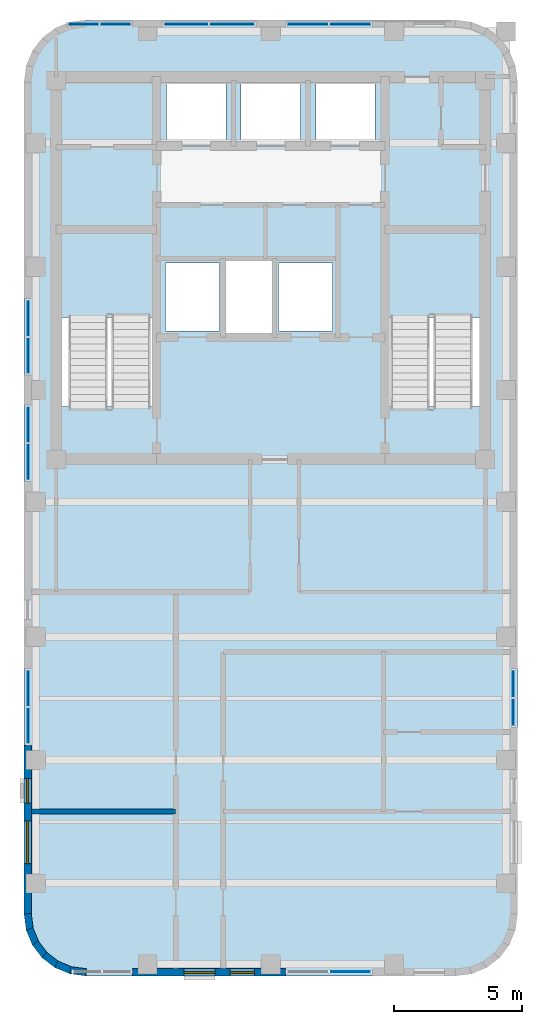
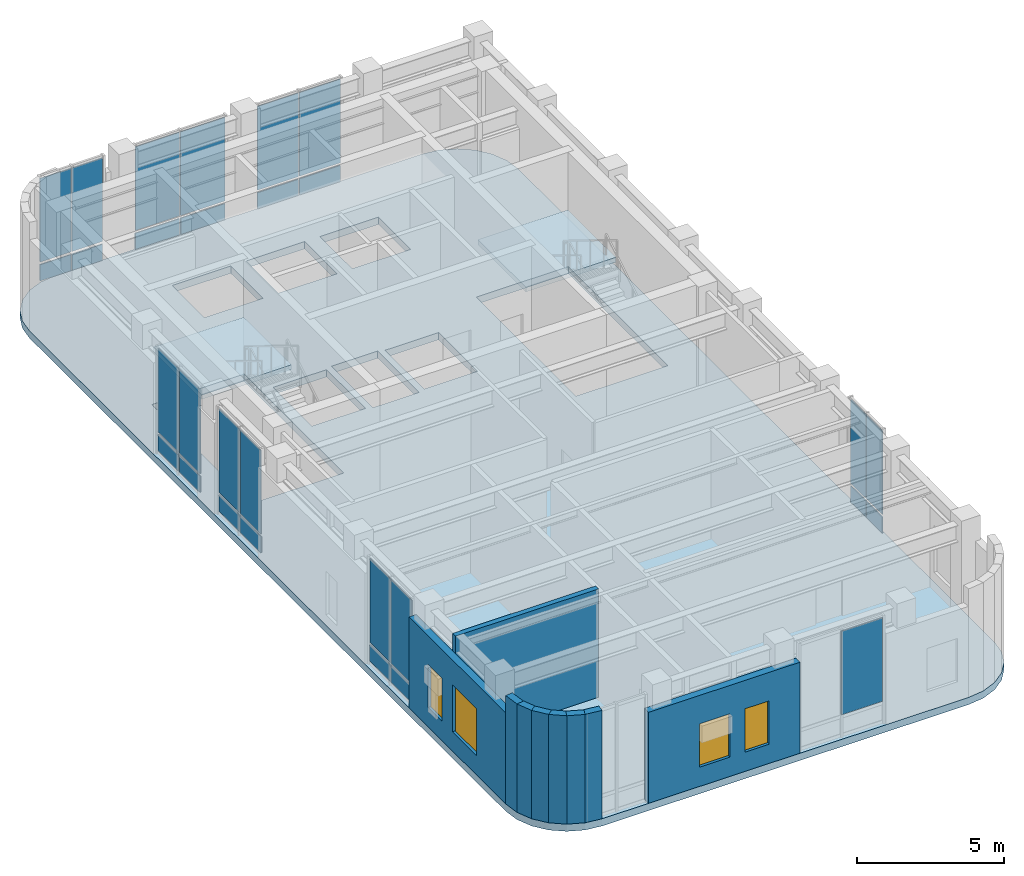
# One storey, part 3 of 8: 29 plates, 9 walls, 4 windows, 3 slabs, 4 openings, 10 elements without a shape of their own.
"""IFC4 building model written with IfcOpenShell, lengths in metres."""

from ifc_helpers import new_model, si_unit, direction, frame, frame_2d, origin, origin_2d, place, context, subcontext, project, spatial, polyline, rectangle, outline, extrude, material, layer, layer_set, type_object, element, fill, aggregate, save


model = new_model("IFC4")

# Units and contexts
model_context = context("Model", 3, precision=1e-05, world=origin(), true_north=direction((0.0, 1.0)))
body_context = subcontext(model_context, "Body", "Model", "MODEL_VIEW")
ifc_project = project(units=[si_unit("LENGTHUNIT", "METRE"), si_unit("AREAUNIT", "SQUARE_METRE"), si_unit("VOLUMEUNIT", "CUBIC_METRE"), si_unit("PLANEANGLEUNIT", "RADIAN"), si_unit("MASSUNIT", "GRAM", prefix="KILO")], contexts=[model_context])

# Site, building, storey
site_placement = place(None, origin())
site = spatial("IfcSite", under=ifc_project, at=site_placement, CompositionType="ELEMENT")
building_placement = place(site_placement, origin())
building = spatial("IfcBuilding", under=site, at=building_placement, Name="Orvandelia Arch Residences", CompositionType="ELEMENT")
storey_placement = place(building_placement, frame((0.0, 0.0, 291.39990234375)))
storey = spatial("IfcBuildingStorey", under=building, at=storey_placement, Name="L75", CompositionType="ELEMENT", Elevation=291.39990234375)

# Curtain wall, plates
ifc_material_1 = material(Name="Anodised Bronze Curtain Wall Assembly")
curtain_wall_type = type_object("IfcCurtainWallType", Name="CW-SYS6-OBSERV", PredefinedType="NOTDEFINED", material=ifc_material_1)
curtain_wall_1_placement = place(storey_placement, origin())
curtain_wall_1 = element("IfcCurtainWall", 1, at=curtain_wall_1_placement, inside=storey, type_object=curtain_wall_type, Name="Observatory West Curtain Wall 3", PredefinedType="NOTDEFINED")
ifc_material_2 = material(Name="Insulated Bronze Aluminium Spandrel Panel", Category="aluminium")
ifc_layer_1 = layer(ifc_material_2, 0.0400390625, Name="Insulated Bronze Aluminium Spandrel Panel", Category="aluminium")
ifc_layer_set_1 = layer_set([ifc_layer_1], Name="Insulated Bronze Aluminium Spandrel Panel")
plate_type_1 = type_object("IfcPlateType", Name="CW-PANEL-SPANDREL", PredefinedType="SHEET", material=ifc_layer_set_1)
plate_1_placement = place(storey_placement, frame((4.9599609375, 20.541259765625, 0.125244140625), z_axis=(0.0, 0.0, 1.0), x_axis=(0.0, 1.0, 0.0)))
plate_1 = element("IfcPlate", 2, at=plate_1_placement, type_object=plate_type_1, Name="Curtain Wall Spandrel Panel CW-L75-3-PS1", PredefinedType="SHEET", context=body_context, shape_type="SweptSolid", body=[
    extrude(rectangle(XDim=1.402587890625, YDim=0.0400390625, at=origin_2d()), origin(), (0.0, 0.0, 1.0), 0.669921875),
])
plate_2_placement = place(storey_placement, frame((4.9599609375, 21.993896484375, 0.125244140625), z_axis=(0.0, 0.0, 1.0), x_axis=(0.0, 1.0, 0.0)))
plate_2 = element("IfcPlate", 3, at=plate_2_placement, type_object=plate_type_1, Name="Curtain Wall Spandrel Panel CW-L75-3-PS2", PredefinedType="SHEET", context=body_context, shape_type="SweptSolid", body=[
    extrude(rectangle(XDim=1.402587890625, YDim=0.0400390625, at=origin_2d()), origin(), (0.0, 0.0, 1.0), 0.669921875),
])

curtain_wall_2_placement = place(storey_placement, origin())
curtain_wall_2 = element("IfcCurtainWall", 4, at=curtain_wall_2_placement, inside=storey, type_object=curtain_wall_type, Name="Observatory East Curtain Wall 4", PredefinedType="NOTDEFINED")
plate_3_placement = place(storey_placement, frame((23.840087890625, 21.0625, 0.125244140625), z_axis=(0.0, 0.0, 1.0), x_axis=(0.0, 1.0, 0.0)))
plate_3 = element("IfcPlate", 5, at=plate_3_placement, type_object=plate_type_1, Name="Curtain Wall Spandrel Panel CW-L75-4-PS1", PredefinedType="SHEET", context=body_context, shape_type="SweptSolid", body=[
    extrude(rectangle(XDim=1.054931640625, YDim=0.0400390625, at=origin_2d()), origin(), (0.0, 0.0, 1.0), 0.669921875),
])
plate_4_placement = place(storey_placement, frame((23.840087890625, 22.16748046875, 0.125244140625), z_axis=(0.0, 0.0, 1.0), x_axis=(0.0, 1.0, 0.0)))
plate_4 = element("IfcPlate", 6, at=plate_4_placement, type_object=plate_type_1, Name="Curtain Wall Spandrel Panel CW-L75-4-PS2", PredefinedType="SHEET", context=body_context, shape_type="SweptSolid", body=[
    extrude(rectangle(XDim=1.054931640625, YDim=0.0400390625, at=origin_2d()), origin(), (0.0, 0.0, 1.0), 0.669921875),
])

curtain_wall_3_placement = place(storey_placement, origin())
curtain_wall_3 = element("IfcCurtainWall", 7, at=curtain_wall_3_placement, inside=storey, type_object=curtain_wall_type, Name="Observatory North Curtain Wall 5", PredefinedType="NOTDEFINED")
plate_5_placement = place(storey_placement, frame((7.106201171875, 47.840087890625, 0.125244140625), z_axis=(0.0, 0.0, 1.0), x_axis=(1.0, 0.0, 0.0)))
plate_5 = element("IfcPlate", 8, at=plate_5_placement, type_object=plate_type_1, Name="Curtain Wall Spandrel Panel CW-L75-5-PS1", PredefinedType="SHEET", context=body_context, shape_type="SweptSolid", body=[
    extrude(rectangle(XDim=1.202392578125, YDim=0.0400390625, at=origin_2d()), origin(), (0.0, 0.0, 1.0), 0.669921875),
])
plate_6_placement = place(storey_placement, frame((8.35888671875, 47.840087890625, 0.125244140625), z_axis=(0.0, 0.0, 1.0), x_axis=(1.0, 0.0, 0.0)))
plate_6 = element("IfcPlate", 9, at=plate_6_placement, type_object=plate_type_1, Name="Curtain Wall Spandrel Panel CW-L75-5-PS2", PredefinedType="SHEET", context=body_context, shape_type="SweptSolid", body=[
    extrude(rectangle(XDim=1.202392578125, YDim=0.0400390625, at=origin_2d()), origin(), (0.0, 0.0, 1.0), 0.669921875),
])

curtain_wall_4_placement = place(storey_placement, origin())
curtain_wall_4 = element("IfcCurtainWall", 10, at=curtain_wall_4_placement, inside=storey, type_object=curtain_wall_type, Name="Observatory North Curtain Wall 6", PredefinedType="NOTDEFINED")
plate_7_placement = place(storey_placement, frame((11.107421875, 47.840087890625, 0.125244140625), z_axis=(0.0, 0.0, 1.0), x_axis=(1.0, 0.0, 0.0)))
plate_7 = element("IfcPlate", 11, at=plate_7_placement, type_object=plate_type_1, Name="Curtain Wall Spandrel Panel CW-L75-6-PS1", PredefinedType="SHEET", context=body_context, shape_type="SweptSolid", body=[
    extrude(rectangle(XDim=1.735107421875, YDim=0.0400390625, at=origin_2d()), origin(), (0.0, 0.0, 1.0), 0.669921875),
])
plate_8_placement = place(storey_placement, frame((12.892578125, 47.840087890625, 0.125244140625), z_axis=(0.0, 0.0, 1.0), x_axis=(1.0, 0.0, 0.0)))
plate_8 = element("IfcPlate", 12, at=plate_8_placement, type_object=plate_type_1, Name="Curtain Wall Spandrel Panel CW-L75-6-PS2", PredefinedType="SHEET", context=body_context, shape_type="SweptSolid", body=[
    extrude(rectangle(XDim=1.735107421875, YDim=0.0400390625, at=origin_2d()), origin(), (0.0, 0.0, 1.0), 0.669921875),
])

curtain_wall_5_placement = place(storey_placement, origin())
curtain_wall_5 = element("IfcCurtainWall", 13, at=curtain_wall_5_placement, inside=storey, type_object=curtain_wall_type, Name="Observatory North Curtain Wall 7", PredefinedType="NOTDEFINED")
plate_9_placement = place(storey_placement, frame((15.84130859375, 47.840087890625, 0.125244140625), z_axis=(0.0, 0.0, 1.0), x_axis=(1.0, 0.0, 0.0)))
plate_9 = element("IfcPlate", 14, at=plate_9_placement, type_object=plate_type_1, Name="Curtain Wall Spandrel Panel CW-L75-7-PS1", PredefinedType="SHEET", context=body_context, shape_type="SweptSolid", body=[
    extrude(rectangle(XDim=1.6025390625, YDim=0.0400390625, at=origin_2d()), origin(), (0.0, 0.0, 1.0), 0.669921875),
])
plate_10_placement = place(storey_placement, frame((17.49365234375, 47.840087890625, 0.125244140625), z_axis=(0.0, 0.0, 1.0), x_axis=(1.0, 0.0, 0.0)))
plate_10 = element("IfcPlate", 15, at=plate_10_placement, type_object=plate_type_1, Name="Curtain Wall Spandrel Panel CW-L75-7-PS2", PredefinedType="SHEET", context=body_context, shape_type="SweptSolid", body=[
    extrude(rectangle(XDim=1.6025390625, YDim=0.0400390625, at=origin_2d()), origin(), (0.0, 0.0, 1.0), 0.669921875),
])

curtain_wall_6_placement = place(storey_placement, origin())
curtain_wall_6 = element("IfcCurtainWall", 16, at=curtain_wall_6_placement, inside=storey, type_object=curtain_wall_type, Name="Observatory Upper West Curtain Wall 8", PredefinedType="NOTDEFINED")
plate_11_placement = place(storey_placement, frame((4.9599609375, 30.80615234375, 0.125244140625), z_axis=(0.0, 0.0, 1.0), x_axis=(0.0, 1.0, 0.0)))
plate_11 = element("IfcPlate", 17, at=plate_11_placement, type_object=plate_type_1, Name="Curtain Wall Spandrel Panel CW-L75-8-PS1", PredefinedType="SHEET", context=body_context, shape_type="SweptSolid", body=[
    extrude(rectangle(XDim=1.402587890625, YDim=0.0400390625, at=origin_2d()), origin(), (0.0, 0.0, 1.0), 0.669921875),
])
plate_12_placement = place(storey_placement, frame((4.9599609375, 32.2587890625, 0.125244140625), z_axis=(0.0, 0.0, 1.0), x_axis=(0.0, 1.0, 0.0)))
plate_12 = element("IfcPlate", 18, at=plate_12_placement, type_object=plate_type_1, Name="Curtain Wall Spandrel Panel CW-L75-8-PS2", PredefinedType="SHEET", context=body_context, shape_type="SweptSolid", body=[
    extrude(rectangle(XDim=1.402587890625, YDim=0.0400390625, at=origin_2d()), origin(), (0.0, 0.0, 1.0), 0.669921875),
])

curtain_wall_7_placement = place(storey_placement, origin())
curtain_wall_7 = element("IfcCurtainWall", 19, at=curtain_wall_7_placement, inside=storey, type_object=curtain_wall_type, Name="Observatory Upper West Curtain Wall 9", PredefinedType="NOTDEFINED")
plate_13_placement = place(storey_placement, frame((4.9599609375, 34.941162109375, 0.125244140625), z_axis=(0.0, 0.0, 1.0), x_axis=(0.0, 1.0, 0.0)))
plate_13 = element("IfcPlate", 20, at=plate_13_placement, type_object=plate_type_1, Name="Curtain Wall Spandrel Panel CW-L75-9-PS1", PredefinedType="SHEET", context=body_context, shape_type="SweptSolid", body=[
    extrude(rectangle(XDim=1.402587890625, YDim=0.0400390625, at=origin_2d()), origin(), (0.0, 0.0, 1.0), 0.669921875),
])
plate_14_placement = place(storey_placement, frame((4.9599609375, 36.393798828125, 0.125244140625), z_axis=(0.0, 0.0, 1.0), x_axis=(0.0, 1.0, 0.0)))
plate_14 = element("IfcPlate", 21, at=plate_14_placement, type_object=plate_type_1, Name="Curtain Wall Spandrel Panel CW-L75-9-PS2", PredefinedType="SHEET", context=body_context, shape_type="SweptSolid", body=[
    extrude(rectangle(XDim=1.402587890625, YDim=0.0400390625, at=origin_2d()), origin(), (0.0, 0.0, 1.0), 0.669921875),
])

# Curtain wall, plate
curtain_wall_8_placement = place(storey_placement, origin())
curtain_wall_8 = element("IfcCurtainWall", 22, at=curtain_wall_8_placement, inside=storey, type_object=curtain_wall_type, Name="Observatory South Curtain Wall 2", PredefinedType="NOTDEFINED")
ifc_material_3 = material(Name="Low-E Laminated Double Glazing", Category="glass")
ifc_layer_2 = layer(ifc_material_3, 0.031982421875, Name="Low-E Laminated Double Glazing", Category="glass")
ifc_layer_set_2 = layer_set([ifc_layer_2], Name="Low-E Laminated Double Glazing")
plate_type_2 = type_object("IfcPlateType", Name="CW-PANEL-VISION", PredefinedType="CURTAIN_PANEL", material=ifc_layer_set_2)
plate_15_placement = place(storey_placement, frame((17.49365234375, 10.9599609375, 0.9052734375), z_axis=(0.0, 0.0, 1.0), x_axis=(1.0, 0.0, 0.0)))
plate_15 = element("IfcPlate", 23, at=plate_15_placement, type_object=plate_type_2, Name="Curtain Wall Vision Glass Panel CW-L75-2-PV2", PredefinedType="CURTAIN_PANEL", context=body_context, shape_type="SweptSolid", body=[
    extrude(rectangle(XDim=1.6025390625, YDim=0.031982421875, at=origin_2d()), origin(), (0.0, 0.0, 1.0), 3.469970703125),
])
aggregate(curtain_wall_8, [plate_15])

# Plate
plate_16_placement = place(storey_placement, frame((4.9599609375, 20.541259765625, 0.9052734375), z_axis=(0.0, 0.0, 1.0), x_axis=(0.0, 1.0, 0.0)))
plate_16 = element("IfcPlate", 24, at=plate_16_placement, type_object=plate_type_2, Name="Curtain Wall Vision Glass Panel CW-L75-3-PV1", PredefinedType="CURTAIN_PANEL", context=body_context, shape_type="SweptSolid", body=[
    extrude(rectangle(XDim=1.402587890625, YDim=0.031982421875, at=origin_2d()), origin(), (0.0, 0.0, 1.0), 3.469970703125),
])

plate_17_placement = place(storey_placement, frame((4.9599609375, 21.993896484375, 0.9052734375), z_axis=(0.0, 0.0, 1.0), x_axis=(0.0, 1.0, 0.0)))
plate_17 = element("IfcPlate", 25, at=plate_17_placement, type_object=plate_type_2, Name="Curtain Wall Vision Glass Panel CW-L75-3-PV2", PredefinedType="CURTAIN_PANEL", context=body_context, shape_type="SweptSolid", body=[
    extrude(rectangle(XDim=1.402587890625, YDim=0.031982421875, at=origin_2d()), origin(), (0.0, 0.0, 1.0), 3.469970703125),
])

aggregate(curtain_wall_1, [plate_1, plate_16, plate_2, plate_17])

plate_18_placement = place(storey_placement, frame((23.840087890625, 21.0625, 0.9052734375), z_axis=(0.0, 0.0, 1.0), x_axis=(0.0, 1.0, 0.0)))
plate_18 = element("IfcPlate", 26, at=plate_18_placement, type_object=plate_type_2, Name="Curtain Wall Vision Glass Panel CW-L75-4-PV1", PredefinedType="CURTAIN_PANEL", context=body_context, shape_type="SweptSolid", body=[
    extrude(rectangle(XDim=1.054931640625, YDim=0.031982421875, at=origin_2d()), origin(), (0.0, 0.0, 1.0), 3.469970703125),
])

plate_19_placement = place(storey_placement, frame((23.840087890625, 22.16748046875, 0.9052734375), z_axis=(0.0, 0.0, 1.0), x_axis=(0.0, 1.0, 0.0)))
plate_19 = element("IfcPlate", 27, at=plate_19_placement, type_object=plate_type_2, Name="Curtain Wall Vision Glass Panel CW-L75-4-PV2", PredefinedType="CURTAIN_PANEL", context=body_context, shape_type="SweptSolid", body=[
    extrude(rectangle(XDim=1.054931640625, YDim=0.031982421875, at=origin_2d()), origin(), (0.0, 0.0, 1.0), 3.469970703125),
])

aggregate(curtain_wall_2, [plate_3, plate_18, plate_4, plate_19])

plate_20_placement = place(storey_placement, frame((7.106201171875, 47.840087890625, 0.9052734375), z_axis=(0.0, 0.0, 1.0), x_axis=(1.0, 0.0, 0.0)))
plate_20 = element("IfcPlate", 28, at=plate_20_placement, type_object=plate_type_2, Name="Curtain Wall Vision Glass Panel CW-L75-5-PV1", PredefinedType="CURTAIN_PANEL", context=body_context, shape_type="SweptSolid", body=[
    extrude(rectangle(XDim=1.202392578125, YDim=0.031982421875, at=origin_2d()), origin(), (0.0, 0.0, 1.0), 3.469970703125),
])

plate_21_placement = place(storey_placement, frame((8.35888671875, 47.840087890625, 0.9052734375), z_axis=(0.0, 0.0, 1.0), x_axis=(1.0, 0.0, 0.0)))
plate_21 = element("IfcPlate", 29, at=plate_21_placement, type_object=plate_type_2, Name="Curtain Wall Vision Glass Panel CW-L75-5-PV2", PredefinedType="CURTAIN_PANEL", context=body_context, shape_type="SweptSolid", body=[
    extrude(rectangle(XDim=1.202392578125, YDim=0.031982421875, at=origin_2d()), origin(), (0.0, 0.0, 1.0), 3.469970703125),
])

aggregate(curtain_wall_3, [plate_5, plate_20, plate_6, plate_21])

plate_22_placement = place(storey_placement, frame((11.107421875, 47.840087890625, 0.9052734375), z_axis=(0.0, 0.0, 1.0), x_axis=(1.0, 0.0, 0.0)))
plate_22 = element("IfcPlate", 30, at=plate_22_placement, type_object=plate_type_2, Name="Curtain Wall Vision Glass Panel CW-L75-6-PV1", PredefinedType="CURTAIN_PANEL", context=body_context, shape_type="SweptSolid", body=[
    extrude(rectangle(XDim=1.735107421875, YDim=0.031982421875, at=origin_2d()), origin(), (0.0, 0.0, 1.0), 3.469970703125),
])

plate_23_placement = place(storey_placement, frame((12.892578125, 47.840087890625, 0.9052734375), z_axis=(0.0, 0.0, 1.0), x_axis=(1.0, 0.0, 0.0)))
plate_23 = element("IfcPlate", 31, at=plate_23_placement, type_object=plate_type_2, Name="Curtain Wall Vision Glass Panel CW-L75-6-PV2", PredefinedType="CURTAIN_PANEL", context=body_context, shape_type="SweptSolid", body=[
    extrude(rectangle(XDim=1.735107421875, YDim=0.031982421875, at=origin_2d()), origin(), (0.0, 0.0, 1.0), 3.469970703125),
])

aggregate(curtain_wall_4, [plate_7, plate_22, plate_8, plate_23])

plate_24_placement = place(storey_placement, frame((15.84130859375, 47.840087890625, 0.9052734375), z_axis=(0.0, 0.0, 1.0), x_axis=(1.0, 0.0, 0.0)))
plate_24 = element("IfcPlate", 32, at=plate_24_placement, type_object=plate_type_2, Name="Curtain Wall Vision Glass Panel CW-L75-7-PV1", PredefinedType="CURTAIN_PANEL", context=body_context, shape_type="SweptSolid", body=[
    extrude(rectangle(XDim=1.6025390625, YDim=0.031982421875, at=origin_2d()), origin(), (0.0, 0.0, 1.0), 3.469970703125),
])

plate_25_placement = place(storey_placement, frame((17.49365234375, 47.840087890625, 0.9052734375), z_axis=(0.0, 0.0, 1.0), x_axis=(1.0, 0.0, 0.0)))
plate_25 = element("IfcPlate", 33, at=plate_25_placement, type_object=plate_type_2, Name="Curtain Wall Vision Glass Panel CW-L75-7-PV2", PredefinedType="CURTAIN_PANEL", context=body_context, shape_type="SweptSolid", body=[
    extrude(rectangle(XDim=1.6025390625, YDim=0.031982421875, at=origin_2d()), origin(), (0.0, 0.0, 1.0), 3.469970703125),
])

aggregate(curtain_wall_5, [plate_9, plate_24, plate_10, plate_25])

plate_26_placement = place(storey_placement, frame((4.9599609375, 30.80615234375, 0.9052734375), z_axis=(0.0, 0.0, 1.0), x_axis=(0.0, 1.0, 0.0)))
plate_26 = element("IfcPlate", 34, at=plate_26_placement, type_object=plate_type_2, Name="Curtain Wall Vision Glass Panel CW-L75-8-PV1", PredefinedType="CURTAIN_PANEL", context=body_context, shape_type="SweptSolid", body=[
    extrude(rectangle(XDim=1.402587890625, YDim=0.031982421875, at=origin_2d()), origin(), (0.0, 0.0, 1.0), 3.469970703125),
])

plate_27_placement = place(storey_placement, frame((4.9599609375, 32.2587890625, 0.9052734375), z_axis=(0.0, 0.0, 1.0), x_axis=(0.0, 1.0, 0.0)))
plate_27 = element("IfcPlate", 35, at=plate_27_placement, type_object=plate_type_2, Name="Curtain Wall Vision Glass Panel CW-L75-8-PV2", PredefinedType="CURTAIN_PANEL", context=body_context, shape_type="SweptSolid", body=[
    extrude(rectangle(XDim=1.402587890625, YDim=0.031982421875, at=origin_2d()), origin(), (0.0, 0.0, 1.0), 3.469970703125),
])

aggregate(curtain_wall_6, [plate_11, plate_26, plate_12, plate_27])

plate_28_placement = place(storey_placement, frame((4.9599609375, 34.941162109375, 0.9052734375), z_axis=(0.0, 0.0, 1.0), x_axis=(0.0, 1.0, 0.0)))
plate_28 = element("IfcPlate", 36, at=plate_28_placement, type_object=plate_type_2, Name="Curtain Wall Vision Glass Panel CW-L75-9-PV1", PredefinedType="CURTAIN_PANEL", context=body_context, shape_type="SweptSolid", body=[
    extrude(rectangle(XDim=1.402587890625, YDim=0.031982421875, at=origin_2d()), origin(), (0.0, 0.0, 1.0), 3.469970703125),
])

plate_29_placement = place(storey_placement, frame((4.9599609375, 36.393798828125, 0.9052734375), z_axis=(0.0, 0.0, 1.0), x_axis=(0.0, 1.0, 0.0)))
plate_29 = element("IfcPlate", 37, at=plate_29_placement, type_object=plate_type_2, Name="Curtain Wall Vision Glass Panel CW-L75-9-PV2", PredefinedType="CURTAIN_PANEL", context=body_context, shape_type="SweptSolid", body=[
    extrude(rectangle(XDim=1.402587890625, YDim=0.031982421875, at=origin_2d()), origin(), (0.0, 0.0, 1.0), 3.469970703125),
])

aggregate(curtain_wall_7, [plate_13, plate_28, plate_14, plate_29])

# Stair, slab
ifc_material_4 = material(Name="Concrete C40/50", Category="concrete")
stair_type = type_object("IfcStairType", Name="STAIR-RC-DOGLEG", PredefinedType="HALF_TURN_STAIR", material=ifc_material_4)
stair_1_placement = place(storey_placement, origin())
stair_1 = element("IfcStair", 38, at=stair_1_placement, inside=storey, type_object=stair_type, Name="L75 Protected Exit Stair ST-1", PredefinedType="HALF_TURN_STAIR")
ifc_layer_3 = layer(ifc_material_4, 0.219970703125, Name="Concrete C40/50", Category="concrete")
ifc_layer_set_3 = layer_set([ifc_layer_3], Name="Concrete C40/50")
slab_type_1 = type_object("IfcSlabType", Name="SLB-LANDING-220", PredefinedType="LANDING", material=ifc_layer_set_3)
slab_1_placement = place(storey_placement, frame((0.0, 0.0, 2.2001953125)))
slab_1 = element("IfcSlab", 39, at=slab_1_placement, type_object=slab_type_1, Name="ST-1 landing 1", PredefinedType="LANDING", context=body_context, shape_type="SweptSolid", body=[
    extrude(outline(polyline([(9.800048828125, 36.429931640625), (9.800048828125, 39.68994140625), (6.260009765625, 39.68994140625), (6.260009765625, 36.429931640625), (9.800048828125, 36.429931640625)])), origin(), (0.0, 0.0, 1.0), 0.199951171875),
])
aggregate(stair_1, [slab_1])

stair_2_placement = place(storey_placement, origin())
stair_2 = element("IfcStair", 40, at=stair_2_placement, inside=storey, type_object=stair_type, Name="L75 Protected Exit Stair ST-2", PredefinedType="HALF_TURN_STAIR")
slab_2_placement = place(storey_placement, frame((0.0, 0.0, 2.2001953125)))
slab_2 = element("IfcSlab", 41, at=slab_2_placement, type_object=slab_type_1, Name="ST-2 landing 1", PredefinedType="LANDING", context=body_context, shape_type="SweptSolid", body=[
    extrude(outline(polyline([(22.5400390625, 36.429931640625), (22.5400390625, 39.68994140625), (19.0, 39.68994140625), (19.0, 36.429931640625), (22.5400390625, 36.429931640625)])), origin(), (0.0, 0.0, 1.0), 0.199951171875),
])
aggregate(stair_2, [slab_2])

# Slab
ifc_material_5 = material(Name="Concrete C50/60", Category="concrete")
ifc_layer_4 = layer(ifc_material_5, 0.300048828125, Name="Concrete C50/60", Category="concrete")
ifc_layer_set_4 = layer_set([ifc_layer_4], Name="Concrete C50/60")
slab_type_2 = type_object("IfcSlabType", Name="SLB-OUT-300", PredefinedType="FLOOR", material=ifc_layer_set_4)
slab_3_placement = place(storey_placement, frame((0.0, 0.0, -0.2998046875)))
element("IfcSlab", 42, at=slab_3_placement, inside=storey, type_object=slab_type_2, Name="Structural Floor Slab L75-1", PredefinedType="FLOOR", context=body_context, shape_type="SweptSolid", body=[
    extrude(outline(polyline([(4.800048828125, 13.199951171875), (4.8818359375, 12.578857421875), (5.12158203125, 12.0), (5.5029296875, 11.5029296875), (6.0, 11.12158203125), (6.578857421875, 10.8818359375), (7.199951171875, 10.800048828125), (21.60009765625, 10.800048828125), (22.22119140625, 10.8818359375), (22.800048828125, 11.12158203125), (23.297119140625, 11.5029296875), (23.678466796875, 12.0), (23.918212890625, 12.578857421875), (24.0, 13.199951171875), (24.0, 45.60009765625), (23.918212890625, 46.22119140625), (23.678466796875, 46.800048828125), (23.297119140625, 47.297119140625), (22.800048828125, 47.678466796875), (22.22119140625, 47.918212890625), (21.60009765625, 48.0), (7.199951171875, 48.0), (6.578857421875, 47.918212890625), (6.0, 47.678466796875), (5.5029296875, 47.297119140625), (5.12158203125, 46.800048828125), (4.8818359375, 46.22119140625), (4.800048828125, 45.60009765625), (4.800048828125, 13.199951171875)]), holes=[polyline([(6.219970703125, 32.949951171875), (9.840087890625, 32.949951171875), (9.840087890625, 39.72998046875), (6.219970703125, 39.72998046875), (6.219970703125, 32.949951171875)]), polyline([(18.9599609375, 32.949951171875), (22.580078125, 32.949951171875), (22.580078125, 39.72998046875), (18.9599609375, 39.72998046875), (18.9599609375, 32.949951171875)]), polyline([(12.639892578125, 35.81005859375), (14.4599609375, 35.81005859375), (14.4599609375, 38.639892578125), (12.639892578125, 38.639892578125), (12.639892578125, 35.81005859375)]), polyline([(10.300048828125, 35.89990234375), (12.39990234375, 35.89990234375), (12.39990234375, 38.550048828125), (10.300048828125, 38.550048828125), (10.300048828125, 35.89990234375)]), polyline([(14.699951171875, 35.89990234375), (16.800048828125, 35.89990234375), (16.800048828125, 38.550048828125), (14.699951171875, 38.550048828125), (14.699951171875, 35.89990234375)]), polyline([(10.35009765625, 43.300048828125), (12.64990234375, 43.300048828125), (12.64990234375, 45.5), (10.35009765625, 45.5), (10.35009765625, 43.300048828125)]), polyline([(13.25, 43.300048828125), (15.550048828125, 43.300048828125), (15.550048828125, 45.5), (13.25, 45.5), (13.25, 43.300048828125)]), polyline([(16.14990234375, 43.300048828125), (18.449951171875, 43.300048828125), (18.449951171875, 45.5), (16.14990234375, 45.5), (16.14990234375, 43.300048828125)])]), origin(), (0.0, 0.0, 1.0), 0.2998046875),
])

# Wall
ifc_layer_5 = layer(ifc_material_4, 0.199951171875, Name="Concrete C40/50", Category="concrete")
ifc_layer_set_5 = layer_set([ifc_layer_5], Name="Concrete C40/50")
wall_type_1 = type_object("IfcWallType", Name="WL-DEM-200", PredefinedType="SOLIDWALL", material=ifc_layer_set_5)
wall_1_placement = place(storey_placement, frame((5.080078125, 17.199951171875, 0.0), z_axis=(0.0, 0.0, 1.0), x_axis=(1.0, 0.0, 0.0)))
element("IfcWall", 43, at=wall_1_placement, inside=storey, type_object=wall_type_1, Name="Interior Partition Wall WL-L75-SKD1", PredefinedType="SOLIDWALL", context=body_context, shape_type="SweptSolid", body=[
    extrude(rectangle(XDim=5.619873046875, YDim=0.199951171875, at=frame_2d((2.81005859375, 0.0))), origin(), (0.0, 0.0, 1.0), 4.5),
])

# Wall, openings, windows
ifc_material_6 = material(Name="Precast concrete C40/50", Category="concrete")
ifc_layer_6 = layer(ifc_material_6, 0.280029296875, Name="Precast concrete C40/50", Category="concrete")
ifc_layer_set_6 = layer_set([ifc_layer_6], Name="Precast concrete C40/50")
wall_type_2 = type_object("IfcWallType", Name="WL-EXT-STONE-280", PredefinedType="STANDARD", material=ifc_layer_set_6)
wall_2_placement = place(storey_placement, frame((14.97509765625, 10.93994140625, 0.0), z_axis=(0.0, 0.0, 1.0), x_axis=(-1.0, 0.0, 0.0)))
wall_2 = element("IfcWall", 44, at=wall_2_placement, inside=storey, type_object=wall_type_2, Name="Coral-Limestone Precast Facade Wall L75-025", PredefinedType="STANDARD", context=body_context, shape_type="SweptSolid", body=[
    extrude(rectangle(XDim=5.9501953125, YDim=0.280029296875, at=frame_2d((2.97509765625, 0.0))), origin(), (0.0, 0.0, 1.0), 3.780029296875),
])
opening_1_placement = place(wall_2_placement, frame((2.75, 0.0, 0.800048828125)))
opening_1 = element("IfcOpeningElement", 45, at=opening_1_placement, cuts=wall_2, Name="Opening W3", PredefinedType="OPENING", context=body_context, shape_type="SweptSolid", body=[
    extrude(rectangle(XDim=1.199951171875, YDim=1.800048828125, at=frame_2d((0.60009765625, 0.89990234375))), frame((0.0, 0.14990234375, 0.0), z_axis=(0.0, -1.0, 0.0), x_axis=(1.0, 0.0, 0.0)), (0.0, 0.0, 1.0), 0.300048828125),
])
opening_2_placement = place(wall_2_placement, frame((1.21240234375, 0.0, 0.800048828125)))
opening_2 = element("IfcOpeningElement", 46, at=opening_2_placement, cuts=wall_2, Name="Opening W4", PredefinedType="OPENING", context=body_context, shape_type="SweptSolid", body=[
    extrude(rectangle(XDim=0.949951171875, YDim=1.800048828125, at=frame_2d((0.47509765625, 0.89990234375))), frame((0.0, 0.14990234375, 0.0), z_axis=(0.0, -1.0, 0.0), x_axis=(1.0, 0.0, 0.0)), (0.0, 0.0, 1.0), 0.300048828125),
])
ifc_material_7 = material(Name="Tempered Low-E Insulated Glazing", Category="glass")
window_type_1 = type_object("IfcWindowType", Name="WIN-RES-0950x1800", PartitioningType="SINGLE_PANEL", PredefinedType="WINDOW", material=ifc_material_7)
window_1_placement = place(opening_2_placement, origin())
window_1 = element("IfcWindow", 47, at=window_1_placement, inside=storey, type_object=window_type_1, Name="Recessed Punched Window L75-007", OverallHeight=1.800048828125, OverallWidth=0.949951171875, PartitioningType="SINGLE_PANEL", PredefinedType="WINDOW", context=body_context, shape_type="SweptSolid", body=[
    extrude(rectangle(XDim=0.949951171875, YDim=1.800048828125, at=frame_2d((0.47509765625, 0.89990234375))), frame((0.0, 0.030029296875, 0.0), z_axis=(0.0, -1.0, 0.0), x_axis=(1.0, 0.0, 0.0)), (0.0, 0.0, 1.0), 0.06005859375),
])
fill(opening_2, window_1)
window_type_2 = type_object("IfcWindowType", Name="WIN-RES-1200x1800", PartitioningType="SINGLE_PANEL", PredefinedType="WINDOW", material=ifc_material_7)
window_2_placement = place(opening_1_placement, origin())
window_2 = element("IfcWindow", 48, at=window_2_placement, inside=storey, type_object=window_type_2, Name="Recessed Punched Window L75-006", OverallHeight=1.800048828125, OverallWidth=1.199951171875, PartitioningType="SINGLE_PANEL", PredefinedType="WINDOW", context=body_context, shape_type="SweptSolid", body=[
    extrude(rectangle(XDim=1.199951171875, YDim=1.800048828125, at=frame_2d((0.60009765625, 0.89990234375))), frame((0.0, 0.030029296875, 0.0), z_axis=(0.0, -1.0, 0.0), x_axis=(1.0, 0.0, 0.0)), (0.0, 0.0, 1.0), 0.06005859375),
])
fill(opening_1, window_2)

# Walls
wall_3_placement = place(storey_placement, frame((7.21826171875, 10.938720703125, 0.0), z_axis=(0.0, 0.0, 1.0), x_axis=(-0.9914410257, 0.130555323746, 0.0)))
element("IfcWall", 49, at=wall_3_placement, inside=storey, type_object=wall_type_2, Name="Coral-Limestone Precast Facade Wall L75-026", PredefinedType="STANDARD", context=body_context, shape_type="SweptSolid", body=[
    extrude(rectangle(XDim=0.62646484375, YDim=0.280029296875, at=frame_2d((0.313232421875, 0.0))), origin(), (0.0, 0.0, 1.0), 4.5),
])
wall_4_placement = place(storey_placement, frame((6.63232421875, 11.010986328125, 0.0), z_axis=(0.0, 0.0, 1.0), x_axis=(-0.923836271867, 0.382787856107, 0.0)))
element("IfcWall", 50, at=wall_4_placement, inside=storey, type_object=wall_type_2, Name="Coral-Limestone Precast Facade Wall L75-027", PredefinedType="STANDARD", context=body_context, shape_type="SweptSolid", body=[
    extrude(rectangle(XDim=0.626220703125, YDim=0.280029296875, at=frame_2d((0.31298828125, 0.0))), origin(), (0.0, 0.0, 1.0), 4.5),
])
for number, where, z_axis, x_axis, name in (
    (51, (6.085205078125, 11.232666015625, 0.0), (0.0, 0.0, 1.0), (-0.793405610854, 0.608693302629, 0.0), "Coral-Limestone Precast Facade Wall L75-028"),
    (52, (5.614013671875, 11.588134765625, 0.0), (0.0, 0.0, 1.0), (-0.608693302629, 0.793405610854, 0.0), "Coral-Limestone Precast Facade Wall L75-029"),
):
    element("IfcWall", number, at=place(storey_placement, frame(where, z_axis=z_axis, x_axis=x_axis)), inside=storey, type_object=wall_type_2, Name=name, PredefinedType="STANDARD", context=body_context, shape_type="SweptSolid", body=[
        extrude(rectangle(XDim=0.62646484375, YDim=0.280029296875, at=frame_2d((0.313232421875, 0.0))), origin(), (0.0, 0.0, 1.0), 4.5),
    ])
wall_5_placement = place(storey_placement, frame((5.250732421875, 12.0537109375, 0.0), z_axis=(0.0, 0.0, 1.0), x_axis=(-0.382787856107, 0.923836271867, 0.0)))
element("IfcWall", 53, at=wall_5_placement, inside=storey, type_object=wall_type_2, Name="Coral-Limestone Precast Facade Wall L75-030", PredefinedType="STANDARD", context=body_context, shape_type="SweptSolid", body=[
    extrude(rectangle(XDim=0.626220703125, YDim=0.280029296875, at=frame_2d((0.31298828125, 0.0))), origin(), (0.0, 0.0, 1.0), 4.5),
])
wall_6_placement = place(storey_placement, frame((5.0205078125, 12.59716796875, 0.0), z_axis=(0.0, 0.0, 1.0), x_axis=(-0.130555323746, 0.9914410257, 0.0)))
element("IfcWall", 54, at=wall_6_placement, inside=storey, type_object=wall_type_2, Name="Coral-Limestone Precast Facade Wall L75-031", PredefinedType="STANDARD", context=body_context, shape_type="SweptSolid", body=[
    extrude(rectangle(XDim=0.62646484375, YDim=0.280029296875, at=frame_2d((0.313232421875, 0.0))), origin(), (0.0, 0.0, 1.0), 4.5),
])

# Wall, openings, windows
wall_7_placement = place(storey_placement, frame((4.93994140625, 13.199951171875, 0.0), z_axis=(0.0, 0.0, 1.0), x_axis=(0.0, 1.0, 0.0)))
wall_7 = element("IfcWall", 55, at=wall_7_placement, inside=storey, type_object=wall_type_2, Name="Coral-Limestone Precast Facade Wall L75-032", PredefinedType="STANDARD", context=body_context, shape_type="SweptSolid", body=[
    extrude(rectangle(XDim=6.574951171875, YDim=0.280029296875, at=frame_2d((3.28759765625, 0.0))), origin(), (0.0, 0.0, 1.0), 3.780029296875),
])
opening_3_placement = place(wall_7_placement, frame((1.972412109375, 0.0, 0.800048828125)))
opening_3 = element("IfcOpeningElement", 56, at=opening_3_placement, cuts=wall_7, Name="Opening W9", PredefinedType="OPENING", context=body_context, shape_type="SweptSolid", body=[
    extrude(rectangle(XDim=1.64990234375, YDim=1.949951171875, at=frame_2d((0.824951171875, 0.97509765625))), frame((0.0, 0.14990234375, 0.0), z_axis=(0.0, -1.0, 0.0), x_axis=(1.0, 0.0, 0.0)), (0.0, 0.0, 1.0), 0.300048828125),
])
opening_4_placement = place(wall_7_placement, frame((4.327392578125, 0.0, 0.800048828125)))
opening_4 = element("IfcOpeningElement", 57, at=opening_4_placement, cuts=wall_7, Name="Opening W4", PredefinedType="OPENING", context=body_context, shape_type="SweptSolid", body=[
    extrude(rectangle(XDim=0.949951171875, YDim=1.800048828125, at=frame_2d((0.47509765625, 0.89990234375))), frame((0.0, 0.14990234375, 0.0), z_axis=(0.0, -1.0, 0.0), x_axis=(1.0, 0.0, 0.0)), (0.0, 0.0, 1.0), 0.300048828125),
])
window_3_placement = place(opening_4_placement, origin())
window_3 = element("IfcWindow", 58, at=window_3_placement, inside=storey, type_object=window_type_1, Name="Recessed Punched Window L75-009", OverallHeight=1.800048828125, OverallWidth=0.949951171875, PartitioningType="SINGLE_PANEL", PredefinedType="WINDOW", context=body_context, shape_type="SweptSolid", body=[
    extrude(rectangle(XDim=0.949951171875, YDim=1.800048828125, at=frame_2d((0.47509765625, 0.89990234375))), frame((0.0, 0.030029296875, 0.0), z_axis=(0.0, -1.0, 0.0), x_axis=(1.0, 0.0, 0.0)), (0.0, 0.0, 1.0), 0.06005859375),
])
fill(opening_4, window_3)
window_type_3 = type_object("IfcWindowType", Name="WIN-UPP-1650x1950", PartitioningType="SINGLE_PANEL", PredefinedType="WINDOW", material=ifc_material_7)
window_4_placement = place(opening_3_placement, origin())
window_4 = element("IfcWindow", 59, at=window_4_placement, inside=storey, type_object=window_type_3, Name="Recessed Punched Window L75-008", OverallHeight=1.949951171875, OverallWidth=1.64990234375, PartitioningType="SINGLE_PANEL", PredefinedType="WINDOW", context=body_context, shape_type="SweptSolid", body=[
    extrude(rectangle(XDim=1.64990234375, YDim=1.949951171875, at=frame_2d((0.824951171875, 0.97509765625))), frame((0.0, 0.030029296875, 0.0), z_axis=(0.0, -1.0, 0.0), x_axis=(1.0, 0.0, 0.0)), (0.0, 0.0, 1.0), 0.06005859375),
])
fill(opening_3, window_4)

save(model, "model.ifc")
